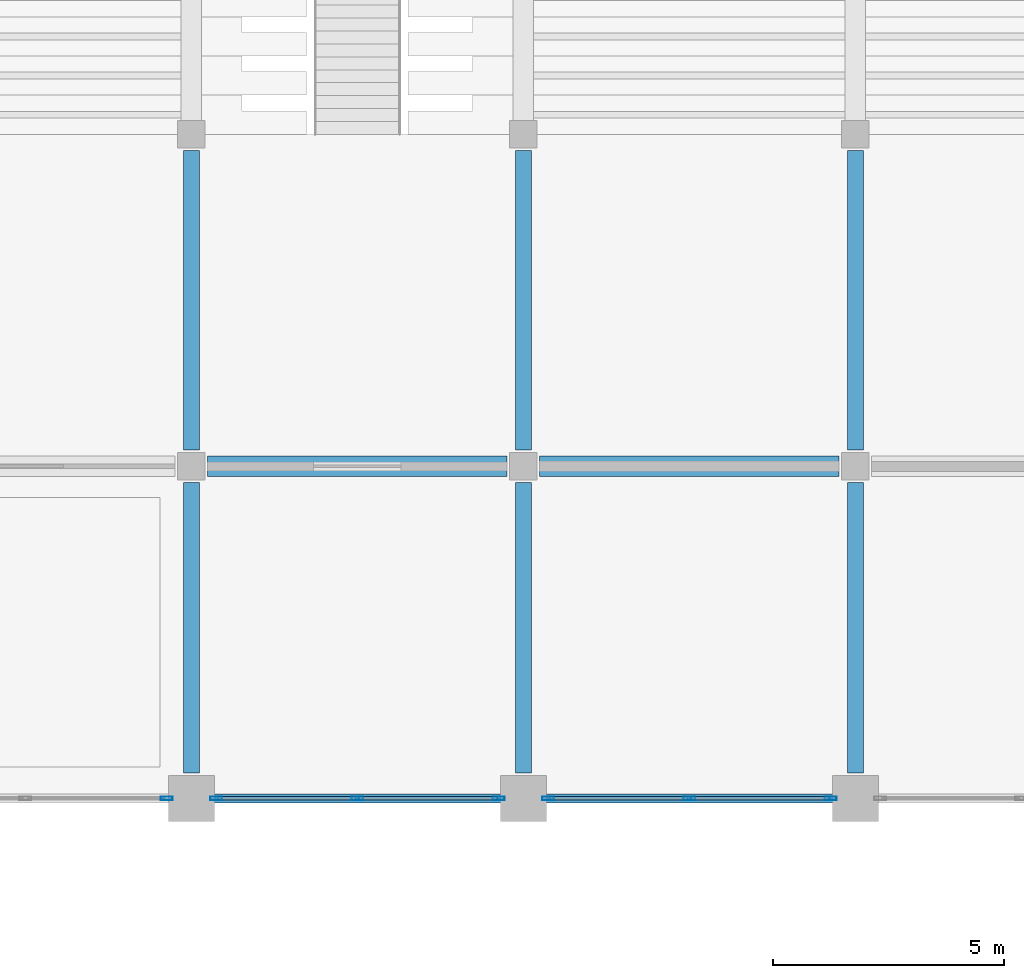
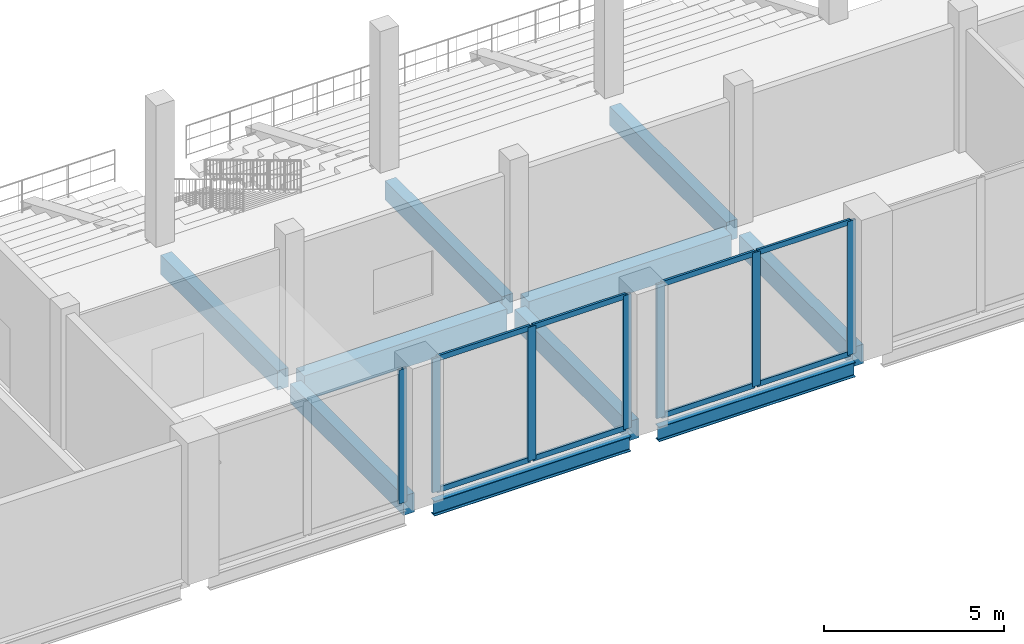
# One storey, part 13 of 99: 15 members, 10 beams, 3 elements without a shape of their own.
"""IFC4 building model written with IfcOpenShell, lengths in metres."""

from ifc_helpers import new_model, si_unit, direction, frame, origin, origin_2d, place, context, subcontext, project, spatial, rectangle, hollow_rectangle, i_section, extrude, material, material_profile, profile_set, type_object, element, aggregate, save


model = new_model("IFC4")

# Units and contexts
model_context = context("Model", 3, precision=1e-05, world=origin(), true_north=direction((0.0, 1.0)))
body_context = subcontext(model_context, "Body", "Model", "MODEL_VIEW")
ifc_project = project(units=[si_unit("LENGTHUNIT", "METRE"), si_unit("AREAUNIT", "SQUARE_METRE"), si_unit("VOLUMEUNIT", "CUBIC_METRE"), si_unit("PLANEANGLEUNIT", "RADIAN"), si_unit("MASSUNIT", "GRAM", prefix="KILO")], contexts=[model_context])

# Site, building, storey
site_placement = place(None, origin())
site = spatial("IfcSite", under=ifc_project, at=site_placement, CompositionType="ELEMENT")
building_placement = place(site_placement, origin())
building = spatial("IfcBuilding", under=site, at=building_placement, Name="Vesperath Aquatics Centre", CompositionType="ELEMENT")
storey_placement = place(building_placement, frame((0.0, 0.0, 5.39990234375)))
storey = spatial("IfcBuildingStorey", under=building, at=storey_placement, Name="L01", CompositionType="ELEMENT", Elevation=5.39990234375)

# Beams
ifc_material_1 = material(Name="Concrete C35", Category="concrete")
ifc_material_profile_1 = material_profile(ifc_material_1, rectangle(XDim=0.449951171875, YDim=0.85009765625, at=origin_2d()), Name="RC 450x850")
ifc_profile_set_1 = profile_set([ifc_material_profile_1], Name="Concrete C35")
beam_type_1 = type_object("IfcBeamType", Name="BM-G03", PredefinedType="BEAM", material=ifc_profile_set_1)
for number, where, z_axis, x_axis, name in (
    (1, (65.14990234375, 21.60009765625, -0.684814453125), (1.0, 0.0, 0.0), (0.0, 1.0, 0.0), "Floor Girder B03 L01 D 10-11"),
    (2, (72.35009765625, 21.60009765625, -0.684814453125), (1.0, 0.0, 0.0), (0.0, 1.0, 0.0), "Floor Girder B03 L01 D 11-12"),
):
    element("IfcBeam", number, at=place(storey_placement, frame(where, z_axis=z_axis, x_axis=x_axis)), inside=storey, type_object=beam_type_1, Name=name, PredefinedType="BEAM", context=body_context, shape_type="SweptSolid", body=[
        extrude(rectangle(XDim=0.449951171875, YDim=0.85009765625, at=origin_2d()), origin(), (0.0, 0.0, 1.0), 6.5),
    ])
ifc_material_profile_2 = material_profile(ifc_material_1, rectangle(XDim=0.35009765625, YDim=0.64990234375, at=origin_2d()), Name="RC 350x650")
ifc_profile_set_2 = profile_set([ifc_material_profile_2], Name="Concrete C35")
beam_type_2 = type_object("IfcBeamType", Name="BM-G05", PredefinedType="BEAM", material=ifc_profile_set_2)
beam_1_placement = place(storey_placement, frame((64.800048828125, 14.949951171875, -0.5849609375), z_axis=(0.0, 1.0, 0.0), x_axis=(-1.0, 0.0, 0.0)))
element("IfcBeam", 3, at=beam_1_placement, inside=storey, type_object=beam_type_2, Name="Floor Girder B05 L01 10 C-D", PredefinedType="BEAM", context=body_context, shape_type="SweptSolid", body=[
    extrude(rectangle(XDim=0.35009765625, YDim=0.64990234375, at=origin_2d()), origin(), (0.0, 0.0, 1.0), 6.300048828125),
])
beam_2_placement = place(storey_placement, frame((64.800048828125, 21.949951171875, -0.5849609375), z_axis=(0.0, 1.0, 0.0), x_axis=(-1.0, 0.0, 0.0)))
element("IfcBeam", 4, at=beam_2_placement, inside=storey, type_object=beam_type_2, Name="Floor Girder B05 L01 10 D-E", PredefinedType="BEAM", context=body_context, shape_type="SweptSolid", body=[
    extrude(rectangle(XDim=0.35009765625, YDim=0.64990234375, at=origin_2d()), origin(), (0.0, 0.0, 1.0), 6.5),
])
beam_3_placement = place(storey_placement, frame((72.0, 14.949951171875, -0.5849609375), z_axis=(0.0, 1.0, 0.0), x_axis=(-1.0, 0.0, 0.0)))
element("IfcBeam", 5, at=beam_3_placement, inside=storey, type_object=beam_type_2, Name="Floor Girder B05 L01 11 C-D", PredefinedType="BEAM", context=body_context, shape_type="SweptSolid", body=[
    extrude(rectangle(XDim=0.35009765625, YDim=0.64990234375, at=origin_2d()), origin(), (0.0, 0.0, 1.0), 6.300048828125),
])
beam_4_placement = place(storey_placement, frame((72.0, 21.949951171875, -0.5849609375), z_axis=(0.0, 1.0, 0.0), x_axis=(-1.0, 0.0, 0.0)))
element("IfcBeam", 6, at=beam_4_placement, inside=storey, type_object=beam_type_2, Name="Floor Girder B05 L01 11 D-E", PredefinedType="BEAM", context=body_context, shape_type="SweptSolid", body=[
    extrude(rectangle(XDim=0.35009765625, YDim=0.64990234375, at=origin_2d()), origin(), (0.0, 0.0, 1.0), 6.5),
])
beam_5_placement = place(storey_placement, frame((79.199951171875, 14.949951171875, -0.5849609375), z_axis=(0.0, 1.0, 0.0), x_axis=(-1.0, 0.0, 0.0)))
element("IfcBeam", 7, at=beam_5_placement, inside=storey, type_object=beam_type_2, Name="Floor Girder B05 L01 12 C-D", PredefinedType="BEAM", context=body_context, shape_type="SweptSolid", body=[
    extrude(rectangle(XDim=0.35009765625, YDim=0.64990234375, at=origin_2d()), origin(), (0.0, 0.0, 1.0), 6.300048828125),
])
beam_6_placement = place(storey_placement, frame((79.199951171875, 21.949951171875, -0.5849609375), z_axis=(0.0, 1.0, 0.0), x_axis=(-1.0, 0.0, 0.0)))
element("IfcBeam", 8, at=beam_6_placement, inside=storey, type_object=beam_type_2, Name="Floor Girder B05 L01 12 D-E", PredefinedType="BEAM", context=body_context, shape_type="SweptSolid", body=[
    extrude(rectangle(XDim=0.35009765625, YDim=0.64990234375, at=origin_2d()), origin(), (0.0, 0.0, 1.0), 6.5),
])
ifc_material_2 = material(Name="Steel Q355D", Category="steel")
ifc_material_profile_3 = material_profile(ifc_material_2, i_section(OverallWidth=0.199951171875, OverallDepth=0.5, WebThickness=0.010009765625, FlangeThickness=0.01611328125, FilletRadius=0.02001953125, at=origin_2d()), Name="HN 500x200x10x16")
ifc_profile_set_3 = profile_set([ifc_material_profile_3], Name="Steel Q355D")
beam_type_3 = type_object("IfcBeamType", Name="BM-SP01", PredefinedType="SPANDREL", material=ifc_profile_set_3)
for number, where, z_axis, x_axis, name in (
    (9, (65.25, 14.39990234375, -0.510009765625), (1.0, 0.0, 0.0), (0.0, 1.0, 0.0), "Floor Girder SP01 L01 C 10-11"),
    (10, (72.449951171875, 14.39990234375, -0.510009765625), (1.0, 0.0, 0.0), (0.0, 1.0, 0.0), "Floor Girder SP01 L01 C 11-12"),
):
    element("IfcBeam", number, at=place(storey_placement, frame(where, z_axis=z_axis, x_axis=x_axis)), inside=storey, type_object=beam_type_3, Name=name, PredefinedType="SPANDREL", context=body_context, shape_type="SweptSolid", body=[
        extrude(i_section(OverallWidth=0.199951171875, OverallDepth=0.5, WebThickness=0.010009765625, FlangeThickness=0.01611328125, FilletRadius=0.02001953125, at=origin_2d()), origin(), (0.0, 0.0, 1.0), 6.300048828125),
    ])

# Curtain wall, member
ifc_material_3 = material(Name="Thermally broken anodised bronze aluminium curtain wall", Category="aluminium")
curtain_wall_type = type_object("IfcCurtainWallType", Name="CW-02", PredefinedType="NOTDEFINED", material=ifc_material_3)
curtain_wall_1_placement = place(storey_placement, origin())
curtain_wall_1 = element("IfcCurtainWall", 11, at=curtain_wall_1_placement, inside=storey, type_object=curtain_wall_type, Name="Facade Curtain Wall CW02 L01_S_08_02", PredefinedType="NOTDEFINED")
ifc_material_4 = material(Name="Thermally broken anodised aluminium", Category="aluminium")
ifc_material_profile_4 = material_profile(ifc_material_4, hollow_rectangle(XDim=0.074951171875, YDim=0.260009765625, WallThickness=0.006103515625, at=origin_2d()), Name="CWM 75x260x6")
ifc_profile_set_4 = profile_set([ifc_material_profile_4], Name="Thermally broken anodised aluminium")
member_type_1 = type_object("IfcMemberType", Name="MB-CWM1", PredefinedType="MULLION", material=ifc_profile_set_4)
member_1_placement = place(storey_placement, frame((64.262451171875, 14.39990234375, 0.0), z_axis=(0.0, 0.0, 1.0), x_axis=(0.0, 1.0, 0.0)))
member_1 = element("IfcMember", 12, at=member_1_placement, type_object=member_type_1, Name="CW02 mullion 3", PredefinedType="MULLION", context=body_context, shape_type="SweptSolid", body=[
    extrude(hollow_rectangle(XDim=0.074951171875, YDim=0.260009765625, WallThickness=0.006103515625, at=origin_2d()), origin(), (0.0, 0.0, 1.0), 4.5400390625),
])
aggregate(curtain_wall_1, [member_1])

# Curtain wall, members
curtain_wall_2_placement = place(storey_placement, origin())
curtain_wall_2 = element("IfcCurtainWall", 13, at=curtain_wall_2_placement, inside=storey, type_object=curtain_wall_type, Name="Facade Curtain Wall CW02 L01_S_09_02", PredefinedType="NOTDEFINED")
member_2_placement = place(storey_placement, frame((65.33740234375, 14.39990234375, 0.0), z_axis=(0.0, 0.0, 1.0), x_axis=(0.0, 1.0, 0.0)))
member_2 = element("IfcMember", 14, at=member_2_placement, type_object=member_type_1, Name="CW02 mullion 1", PredefinedType="MULLION", context=body_context, shape_type="SweptSolid", body=[
    extrude(hollow_rectangle(XDim=0.074951171875, YDim=0.260009765625, WallThickness=0.006103515625, at=origin_2d()), origin(), (0.0, 0.0, 1.0), 4.5400390625),
])
member_3_placement = place(storey_placement, frame((68.39990234375, 14.39990234375, 0.0), z_axis=(0.0, 0.0, 1.0), x_axis=(0.0, 1.0, 0.0)))
member_3 = element("IfcMember", 15, at=member_3_placement, type_object=member_type_1, Name="CW02 mullion 2", PredefinedType="MULLION", context=body_context, shape_type="SweptSolid", body=[
    extrude(hollow_rectangle(XDim=0.074951171875, YDim=0.260009765625, WallThickness=0.006103515625, at=origin_2d()), origin(), (0.0, 0.0, 1.0), 4.5400390625),
])
member_4_placement = place(storey_placement, frame((71.46240234375, 14.39990234375, 0.0), z_axis=(0.0, 0.0, 1.0), x_axis=(0.0, 1.0, 0.0)))
member_4 = element("IfcMember", 16, at=member_4_placement, type_object=member_type_1, Name="CW02 mullion 3", PredefinedType="MULLION", context=body_context, shape_type="SweptSolid", body=[
    extrude(hollow_rectangle(XDim=0.074951171875, YDim=0.260009765625, WallThickness=0.006103515625, at=origin_2d()), origin(), (0.0, 0.0, 1.0), 4.5400390625),
])

curtain_wall_3_placement = place(storey_placement, origin())
curtain_wall_3 = element("IfcCurtainWall", 17, at=curtain_wall_3_placement, inside=storey, type_object=curtain_wall_type, Name="Facade Curtain Wall CW02 L01_S_10_02", PredefinedType="NOTDEFINED")
member_5_placement = place(storey_placement, frame((72.53759765625, 14.39990234375, 0.0), z_axis=(0.0, 0.0, 1.0), x_axis=(0.0, 1.0, 0.0)))
member_5 = element("IfcMember", 18, at=member_5_placement, type_object=member_type_1, Name="CW02 mullion 1", PredefinedType="MULLION", context=body_context, shape_type="SweptSolid", body=[
    extrude(hollow_rectangle(XDim=0.074951171875, YDim=0.260009765625, WallThickness=0.006103515625, at=origin_2d()), origin(), (0.0, 0.0, 1.0), 4.5400390625),
])
member_6_placement = place(storey_placement, frame((75.60009765625, 14.39990234375, 0.0), z_axis=(0.0, 0.0, 1.0), x_axis=(0.0, 1.0, 0.0)))
member_6 = element("IfcMember", 19, at=member_6_placement, type_object=member_type_1, Name="CW02 mullion 2", PredefinedType="MULLION", context=body_context, shape_type="SweptSolid", body=[
    extrude(hollow_rectangle(XDim=0.074951171875, YDim=0.260009765625, WallThickness=0.006103515625, at=origin_2d()), origin(), (0.0, 0.0, 1.0), 4.5400390625),
])
member_7_placement = place(storey_placement, frame((78.66259765625, 14.39990234375, 0.0), z_axis=(0.0, 0.0, 1.0), x_axis=(0.0, 1.0, 0.0)))
member_7 = element("IfcMember", 20, at=member_7_placement, type_object=member_type_1, Name="CW02 mullion 3", PredefinedType="MULLION", context=body_context, shape_type="SweptSolid", body=[
    extrude(hollow_rectangle(XDim=0.074951171875, YDim=0.260009765625, WallThickness=0.006103515625, at=origin_2d()), origin(), (0.0, 0.0, 1.0), 4.5400390625),
])

# Member
ifc_material_profile_5 = material_profile(ifc_material_4, hollow_rectangle(XDim=0.074951171875, YDim=0.179931640625, WallThickness=0.0048828125, at=origin_2d()), Name="CWT 75x180x5")
ifc_profile_set_5 = profile_set([ifc_material_profile_5], Name="Thermally broken anodised aluminium")
member_type_2 = type_object("IfcMemberType", Name="MB-CWT1", PredefinedType="USERDEFINED", material=ifc_profile_set_5)
member_8_placement = place(storey_placement, frame((65.375, 14.39990234375, 0.03759765625), z_axis=(1.0, 0.0, 0.0), x_axis=(0.0, 1.0, 0.0)))
member_8 = element("IfcMember", 21, at=member_8_placement, type_object=member_type_2, Name="CW02 transom 1.1", ObjectType="TRANSOM", PredefinedType="USERDEFINED", context=body_context, shape_type="SweptSolid", body=[
    extrude(hollow_rectangle(XDim=0.074951171875, YDim=0.179931640625, WallThickness=0.0048828125, at=origin_2d()), origin(), (0.0, 0.0, 1.0), 2.987548828125),
])

member_9_placement = place(storey_placement, frame((65.375, 14.39990234375, 4.502685546875), z_axis=(1.0, 0.0, 0.0), x_axis=(0.0, 1.0, 0.0)))
member_9 = element("IfcMember", 22, at=member_9_placement, type_object=member_type_2, Name="CW02 transom 1.2", ObjectType="TRANSOM", PredefinedType="USERDEFINED", context=body_context, shape_type="SweptSolid", body=[
    extrude(hollow_rectangle(XDim=0.074951171875, YDim=0.179931640625, WallThickness=0.0048828125, at=origin_2d()), origin(), (0.0, 0.0, 1.0), 2.987548828125),
])

member_10_placement = place(storey_placement, frame((68.4375, 14.39990234375, 0.03759765625), z_axis=(1.0, 0.0, 0.0), x_axis=(0.0, 1.0, 0.0)))
member_10 = element("IfcMember", 23, at=member_10_placement, type_object=member_type_2, Name="CW02 transom 2.1", ObjectType="TRANSOM", PredefinedType="USERDEFINED", context=body_context, shape_type="SweptSolid", body=[
    extrude(hollow_rectangle(XDim=0.074951171875, YDim=0.179931640625, WallThickness=0.0048828125, at=origin_2d()), origin(), (0.0, 0.0, 1.0), 2.987548828125),
])

member_11_placement = place(storey_placement, frame((68.4375, 14.39990234375, 4.502685546875), z_axis=(1.0, 0.0, 0.0), x_axis=(0.0, 1.0, 0.0)))
member_11 = element("IfcMember", 24, at=member_11_placement, type_object=member_type_2, Name="CW02 transom 2.2", ObjectType="TRANSOM", PredefinedType="USERDEFINED", context=body_context, shape_type="SweptSolid", body=[
    extrude(hollow_rectangle(XDim=0.074951171875, YDim=0.179931640625, WallThickness=0.0048828125, at=origin_2d()), origin(), (0.0, 0.0, 1.0), 2.987548828125),
])

aggregate(curtain_wall_2, [member_2, member_3, member_4, member_8, member_9, member_10, member_11])

member_12_placement = place(storey_placement, frame((72.574951171875, 14.39990234375, 0.03759765625), z_axis=(1.0, 0.0, 0.0), x_axis=(0.0, 1.0, 0.0)))
member_12 = element("IfcMember", 25, at=member_12_placement, type_object=member_type_2, Name="CW02 transom 1.1", ObjectType="TRANSOM", PredefinedType="USERDEFINED", context=body_context, shape_type="SweptSolid", body=[
    extrude(hollow_rectangle(XDim=0.074951171875, YDim=0.179931640625, WallThickness=0.0048828125, at=origin_2d()), origin(), (0.0, 0.0, 1.0), 2.987548828125),
])

member_13_placement = place(storey_placement, frame((72.574951171875, 14.39990234375, 4.502685546875), z_axis=(1.0, 0.0, 0.0), x_axis=(0.0, 1.0, 0.0)))
member_13 = element("IfcMember", 26, at=member_13_placement, type_object=member_type_2, Name="CW02 transom 1.2", ObjectType="TRANSOM", PredefinedType="USERDEFINED", context=body_context, shape_type="SweptSolid", body=[
    extrude(hollow_rectangle(XDim=0.074951171875, YDim=0.179931640625, WallThickness=0.0048828125, at=origin_2d()), origin(), (0.0, 0.0, 1.0), 2.987548828125),
])

member_14_placement = place(storey_placement, frame((75.637451171875, 14.39990234375, 0.03759765625), z_axis=(1.0, 0.0, 0.0), x_axis=(0.0, 1.0, 0.0)))
member_14 = element("IfcMember", 27, at=member_14_placement, type_object=member_type_2, Name="CW02 transom 2.1", ObjectType="TRANSOM", PredefinedType="USERDEFINED", context=body_context, shape_type="SweptSolid", body=[
    extrude(hollow_rectangle(XDim=0.074951171875, YDim=0.179931640625, WallThickness=0.0048828125, at=origin_2d()), origin(), (0.0, 0.0, 1.0), 2.987548828125),
])

member_15_placement = place(storey_placement, frame((75.637451171875, 14.39990234375, 4.502685546875), z_axis=(1.0, 0.0, 0.0), x_axis=(0.0, 1.0, 0.0)))
member_15 = element("IfcMember", 28, at=member_15_placement, type_object=member_type_2, Name="CW02 transom 2.2", ObjectType="TRANSOM", PredefinedType="USERDEFINED", context=body_context, shape_type="SweptSolid", body=[
    extrude(hollow_rectangle(XDim=0.074951171875, YDim=0.179931640625, WallThickness=0.0048828125, at=origin_2d()), origin(), (0.0, 0.0, 1.0), 2.987548828125),
])

aggregate(curtain_wall_3, [member_5, member_6, member_7, member_12, member_13, member_14, member_15])

save(model, "model.ifc")
